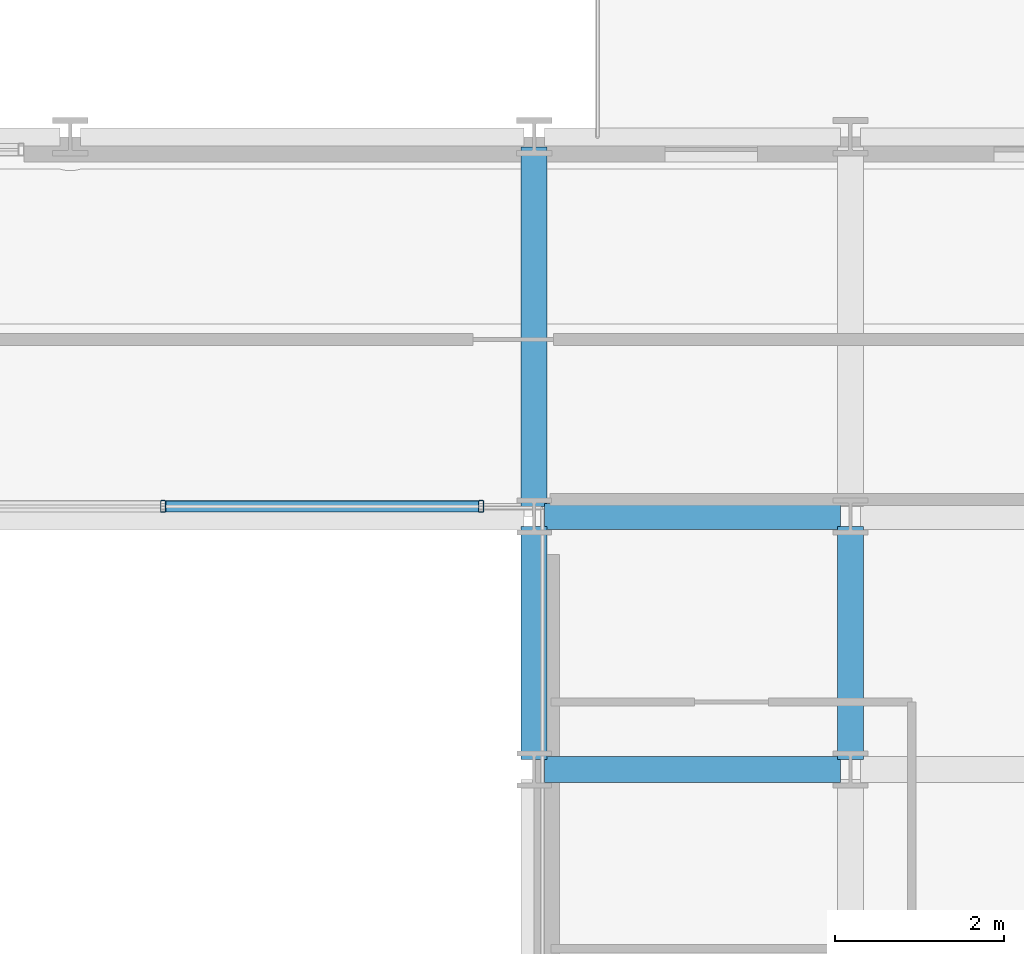
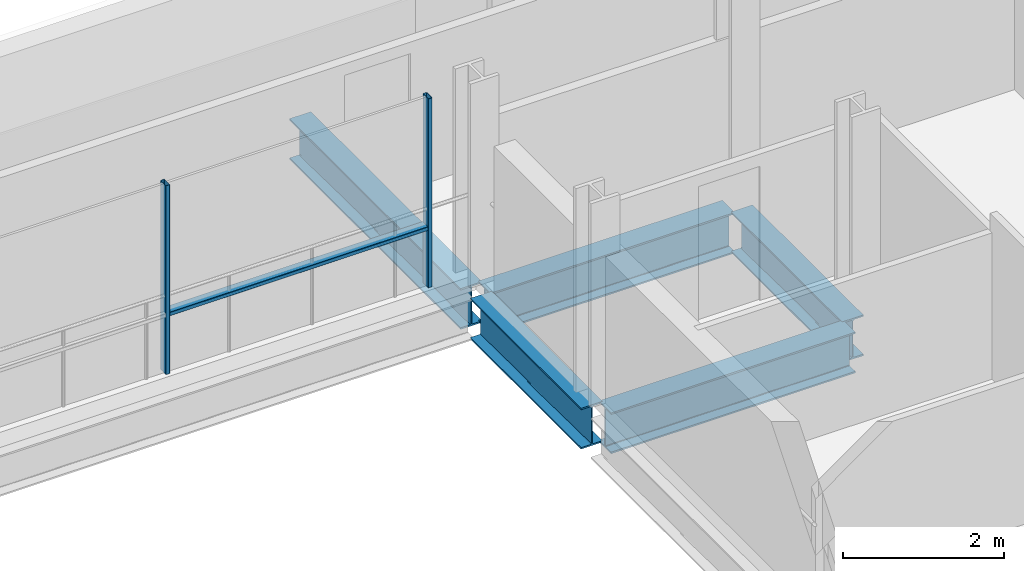
# One storey, part 17 of 41: 5 beams, 3 members, 1 element without a shape of its own.
"""IFC4 building model written with IfcOpenShell, lengths in metres."""

import ifcopenshell
import ifcopenshell.guid

model = None  # the IFC model being written
_history = None  # IfcOwnerHistory: only IFC2X3 demands one
_inside = {}  # id of a spatial element -> (the spatial element, [elements in it])
_under = {}  # id of a project, library or spatial element -> (it, [spatial elements below it])
_declared = {}  # id of a project -> (the project, [libraries it declares])
_typed = {}  # id of a type object -> (the type object, [elements of that type])
_made_of = {}  # id of a material, layer set ... -> (it, [elements and type objects made of it])


def new_model(schema):
    """Start an empty IFC model of exactly this schema.

    Asked for "IFC4X3", IfcOpenShell would pick the latest addendum, in which some entities
    have other attributes; the version numbers below select the first issue.
    IFC2X3 requires an IfcOwnerHistory on every rooted entity: one is made here for all.
    """
    global model, _history
    if schema == "IFC4X3":
        model = ifcopenshell.file(schema_version=(4, 3, 0, 0))
    else:
        model = ifcopenshell.file(schema=schema)
    _inside.clear()
    _under.clear()
    _declared.clear()
    _typed.clear()
    _made_of.clear()
    _history = None
    if model.schema == "IFC2X3":
        org = make("IfcOrganization", Name="unknown")
        user = make(
            "IfcPersonAndOrganization",
            ThePerson=make("IfcPerson", FamilyName="unknown"),
            TheOrganization=org,
        )
        app = make(
            "IfcApplication",
            ApplicationDeveloper=org,
            Version="unknown",
            ApplicationFullName="unknown",
            ApplicationIdentifier="unknown",
        )
        _history = make(
            "IfcOwnerHistory",
            OwningUser=user,
            OwningApplication=app,
            ChangeAction="ADDED",
            CreationDate=0,
        )
    return model


def make(cls, **values):
    """One entity of the class cls with the attributes given. An attribute that is None is left unset."""
    return model.create_entity(
        cls, **{name: value for name, value in values.items() if value is not None}
    )


def rooted(cls, **values):
    """An entity with a GlobalId (a new one), such as an element, a storey or a relation."""
    return make(cls, GlobalId=ifcopenshell.guid.new(), OwnerHistory=_history, **values)


def si_unit(unit_type, name, prefix=None):
    """IfcSIUnit, for example si_unit("LENGTHUNIT", "METRE", prefix="MILLI")."""
    return make("IfcSIUnit", UnitType=unit_type, Prefix=prefix, Name=name)


def assignment(units):
    """IfcUnitAssignment: the units of a project."""
    return None if units is None else make("IfcUnitAssignment", Units=units)


def point(xyz):
    """IfcCartesianPoint."""
    return None if xyz is None else make("IfcCartesianPoint", Coordinates=xyz)


def direction(xyz):
    """IfcDirection."""
    return None if xyz is None else make("IfcDirection", DirectionRatios=xyz)


def frame(location, z_axis=None, x_axis=None):
    """IfcAxis2Placement3D, a coordinate frame: its origin and axes. An axis left out is left unset."""
    return make(
        "IfcAxis2Placement3D",
        Location=point(location),
        Axis=direction(z_axis),
        RefDirection=direction(x_axis),
    )


def frame_2d(location, x_axis=None):
    """IfcAxis2Placement2D, a coordinate frame in the plane: its origin and x axis."""
    return make(
        "IfcAxis2Placement2D", Location=point(location), RefDirection=direction(x_axis)
    )


def origin():
    """The frame at (0, 0, 0) with its axes left unset."""
    return frame((0.0, 0.0, 0.0))


def origin_2d():
    """The frame at (0, 0) in the plane with its x axis left unset."""
    return frame_2d((0.0, 0.0))


def place(relative_to, where):
    """IfcLocalPlacement: puts the frame where relative to a parent placement (None: the world)."""
    return make(
        "IfcLocalPlacement", PlacementRelTo=relative_to, RelativePlacement=where
    )


def context(
    kind, dimensions, precision=None, world=None, true_north=None, identifier=None
):
    """IfcGeometricRepresentationContext, for example the 3D "Model" context."""
    return make(
        "IfcGeometricRepresentationContext",
        ContextIdentifier=identifier,
        ContextType=kind,
        CoordinateSpaceDimension=dimensions,
        Precision=precision,
        WorldCoordinateSystem=world,
        TrueNorth=true_north,
    )


def subcontext(parent, identifier, kind, view, scale=None):
    """IfcGeometricRepresentationSubContext, for example "Body" below "Model"."""
    return make(
        "IfcGeometricRepresentationSubContext",
        ContextIdentifier=identifier,
        ContextType=kind,
        ParentContext=parent,
        TargetScale=scale,
        TargetView=view,
    )


def project(units=None, contexts=None):
    """IfcProject with its units and contexts."""
    return rooted(
        "IfcProject",
        Name="project",
        RepresentationContexts=contexts,
        UnitsInContext=assignment(units),
    )


def spatial(cls, under=None, at=None, **own):
    """A site, building, storey or space (cls), placed at a placement, below another one or the project."""
    s = rooted(cls, ObjectPlacement=at, **own)
    if under is not None:
        _under.setdefault(under.id(), (under, []))[1].append(s)
    return s


def profile(cls, at=None, kind="AREA", **sizes):
    """A parametric profile (cls). Its sizes go by their IFC names, for example OverallWidth=200.0."""
    return make(cls, ProfileType=kind, Position=at, **sizes)


def hollow_rectangle(**sizes):
    """IfcRectangleHollowProfileDef."""
    return profile("IfcRectangleHollowProfileDef", **sizes)


def i_section(**sizes):
    """IfcIShapeProfileDef."""
    return profile("IfcIShapeProfileDef", **sizes)


def extrude(swept, where, along, depth):
    """IfcExtrudedAreaSolid: the profile swept, set in the frame where, extruded along a direction by depth."""
    return make(
        "IfcExtrudedAreaSolid",
        SweptArea=swept,
        Position=where,
        ExtrudedDirection=direction(along),
        Depth=depth,
    )


def shape(context_of_items, identifier, shape_type, items):
    """IfcShapeRepresentation: the items that make up one representation, for example the "Body"."""
    return make(
        "IfcShapeRepresentation",
        ContextOfItems=context_of_items,
        RepresentationIdentifier=identifier,
        RepresentationType=shape_type,
        Items=items,
    )


def material(Name=None, Category=None):
    """IfcMaterial."""
    return make("IfcMaterial", Name=Name, Category=Category)


def layer(
    of_material, thickness, ventilated=None, Name=None, Category=None, Priority=None
):
    """IfcMaterialLayer: one layer of a wall or slab, of a material (None: an air gap)."""
    return make(
        "IfcMaterialLayer",
        Material=of_material,
        LayerThickness=thickness,
        IsVentilated=ventilated,
        Name=Name,
        Category=Category,
        Priority=Priority,
    )


def layer_set(layers, Name=None):
    """IfcMaterialLayerSet."""
    return make("IfcMaterialLayerSet", MaterialLayers=layers, LayerSetName=Name)


def material_profile(
    of_material, cross_section, Name=None, Category=None, Priority=None
):
    """IfcMaterialProfile: a cross section and its material."""
    return make(
        "IfcMaterialProfile",
        Name=Name,
        Material=of_material,
        Profile=cross_section,
        Priority=Priority,
        Category=Category,
    )


def profile_set(profiles, Name=None, composite=None):
    """IfcMaterialProfileSet."""
    return make(
        "IfcMaterialProfileSet",
        Name=Name,
        MaterialProfiles=profiles,
        CompositeProfile=composite,
    )


def made_of(thing, what):
    """Note that an element or type object is made of a material, layer set ...; save() writes the relation."""
    if what is not None:
        _made_of.setdefault(what.id(), (what, []))[1].append(thing)
    return thing


def type_object(cls, material=None, **own):
    """A type object (cls), such as IfcWallType, which elements share."""
    return made_of(rooted(cls, **own), material)


def element(
    cls,
    number,
    at=None,
    inside=None,
    cuts=None,
    type_object=None,
    material=None,
    context=None,
    identifier="Body",
    shape_type=None,
    held_by="IfcProductDefinitionShape",
    body=None,
    shapes=None,
    **own,
):
    """One element of the class cls, such as IfcWall. Its Tag is "e" and its number.

    at: its placement. inside: the storey or other place that contains it. cuts: it is an
    opening in that element (IfcRelVoidsElement). A single representation is given by context,
    identifier, shape_type and body (its items); several are given by shapes. held_by: the class
    of the entity that holds the representations. save() writes the other relations.
    """
    e = rooted(cls, Tag="e%d" % number, ObjectPlacement=at, **own)
    if body is not None:
        shapes = [shape(context, identifier, shape_type, body)]
    if shapes is not None:
        e.Representation = make(held_by, Representations=shapes)
    if inside is not None:
        _inside.setdefault(inside.id(), (inside, []))[1].append(e)
    if cuts is not None:
        rooted(
            "IfcRelVoidsElement", RelatingBuildingElement=cuts, RelatedOpeningElement=e
        )
    if type_object is not None:
        _typed.setdefault(type_object.id(), (type_object, []))[1].append(e)
    return made_of(e, material)


def aggregate(whole, parts):
    """IfcRelAggregates: a whole, such as a stair, and the parts it consists of."""
    return rooted("IfcRelAggregates", RelatingObject=whole, RelatedObjects=parts)


def save(model, path):
    """Write the relations noted so far, then the file.

    IfcRelAggregates (storeys below a building ...), IfcRelContainedInSpatialStructure (elements
    in a storey), IfcRelDefinesByType, IfcRelAssociatesMaterial and IfcRelDeclares: one each for
    every whole, place, type object, material and project.
    """
    for whole, parts in _under.values():
        aggregate(whole, parts)
    for where, things in _inside.values():
        rooted(
            "IfcRelContainedInSpatialStructure",
            RelatedElements=things,
            RelatingStructure=where,
        )
    for kind, things in _typed.values():
        rooted("IfcRelDefinesByType", RelatedObjects=things, RelatingType=kind)
    for what, things in _made_of.values():
        rooted("IfcRelAssociatesMaterial", RelatedObjects=things, RelatingMaterial=what)
    for by, libraries in _declared.values():
        rooted("IfcRelDeclares", RelatingContext=by, RelatedDefinitions=libraries)
    model.write(path)


model = new_model("IFC4")

# Units and contexts
model_context = context("Model", 3, precision=1e-05, world=origin(), true_north=direction((0.0, 1.0)))
body_context = subcontext(model_context, "Body", "Model", "MODEL_VIEW")
ifc_project = project(units=[si_unit("LENGTHUNIT", "METRE"), si_unit("AREAUNIT", "SQUARE_METRE"), si_unit("VOLUMEUNIT", "CUBIC_METRE"), si_unit("PLANEANGLEUNIT", "RADIAN"), si_unit("MASSUNIT", "GRAM", prefix="KILO")], contexts=[model_context])

# Site, building, storey
site_placement = place(None, origin())
site = spatial("IfcSite", under=ifc_project, at=site_placement, CompositionType="ELEMENT")
building_placement = place(site_placement, origin())
building = spatial("IfcBuilding", under=site, at=building_placement, Name="Brevholm Reach", CompositionType="ELEMENT")
storey_placement = place(building_placement, frame((0.0, 0.0, 68.300048828125)))
storey = spatial("IfcBuildingStorey", under=building, at=storey_placement, Name="L19", CompositionType="ELEMENT", Elevation=68.300048828125)

# Beams
ifc_material_1 = material(Name="Structural Steel S355J2", Category="steel")
ifc_material_profile_1 = material_profile(ifc_material_1, i_section(OverallWidth=0.30712890625, OverallDepth=0.6201171875, WebThickness=0.01416015625, FlangeThickness=0.023681640625, FilletRadius=0.0166015625, at=origin_2d()), Name="UKB 610x305x179")
ifc_profile_set_1 = profile_set([ifc_material_profile_1], Name="Structural Steel S355J2")
beam_type = type_object("IfcBeamType", Name="BM-UKB610H", PredefinedType="USERDEFINED", material=ifc_profile_set_1)
for number, where, z_axis, x_axis, name in (
    (1, (38.3701171875, 23.5, -0.5400390625), (1.0, 0.0, 0.0), (0.0, 1.0, 0.0), "L19 G-06 Framing Beam"),
    (2, (38.3701171875, 26.5, -0.5400390625), (1.0, 0.0, 0.0), (0.0, 1.0, 0.0), "L19 G-06 Framing Beam"),
):
    element("IfcBeam", number, at=place(storey_placement, frame(where, z_axis=z_axis, x_axis=x_axis)), inside=storey, type_object=beam_type, Name=name, ObjectType="GIRDER", PredefinedType="USERDEFINED", context=body_context, shape_type="SweptSolid", body=[
        extrude(i_section(OverallWidth=0.30712890625, OverallDepth=0.6201171875, WebThickness=0.01416015625, FlangeThickness=0.023681640625, FilletRadius=0.0166015625, at=origin_2d()), origin(), (0.0, 0.0, 1.0), 3.509765625),
    ])
beam_1_placement = place(storey_placement, frame((38.25, 23.6201171875, -0.5400390625), z_axis=(0.0, 1.0, 0.0), x_axis=(-1.0, 0.0, 0.0)))
element("IfcBeam", 3, at=beam_1_placement, inside=storey, type_object=beam_type, Name="L19 G-06 Framing Beam", ObjectType="GIRDER", PredefinedType="USERDEFINED", context=body_context, shape_type="SweptSolid", body=[
    extrude(i_section(OverallWidth=0.30712890625, OverallDepth=0.6201171875, WebThickness=0.01416015625, FlangeThickness=0.023681640625, FilletRadius=0.0166015625, at=origin_2d()), origin(), (0.0, 0.0, 1.0), 2.759765625),
])
beam_2_placement = place(storey_placement, frame((38.25, 26.6201171875, -0.5400390625), z_axis=(0.0, 1.0, 0.0), x_axis=(-1.0, 0.0, 0.0)))
element("IfcBeam", 4, at=beam_2_placement, inside=storey, type_object=beam_type, Name="L19 G-06 Framing Beam", ObjectType="GIRDER", PredefinedType="USERDEFINED", context=body_context, shape_type="SweptSolid", body=[
    extrude(i_section(OverallWidth=0.30712890625, OverallDepth=0.6201171875, WebThickness=0.01416015625, FlangeThickness=0.023681640625, FilletRadius=0.0166015625, at=origin_2d()), origin(), (0.0, 0.0, 1.0), 4.259765625),
])
beam_3_placement = place(storey_placement, frame((42.0, 23.6201171875, -0.5400390625), z_axis=(0.0, 1.0, 0.0), x_axis=(-1.0, 0.0, 0.0)))
element("IfcBeam", 5, at=beam_3_placement, inside=storey, type_object=beam_type, Name="L19 G-06 Framing Beam", ObjectType="GIRDER", PredefinedType="USERDEFINED", context=body_context, shape_type="SweptSolid", body=[
    extrude(i_section(OverallWidth=0.30712890625, OverallDepth=0.6201171875, WebThickness=0.01416015625, FlangeThickness=0.023681640625, FilletRadius=0.0166015625, at=origin_2d()), origin(), (0.0, 0.0, 1.0), 2.759765625),
])

# Curtain wall, members
ifc_material_2 = material(Name="Dark Anodised Aluminium 6063-T6 and Solar-Control Glass", Category="aluminium")
ifc_layer = layer(ifc_material_2, 0.139892578125)
ifc_layer_set = layer_set([ifc_layer], Name="Dark Anodised Aluminium 6063-T6 and Solar-Control Glass")
curtain_wall_type = type_object("IfcCurtainWallType", Name="CW-02", PredefinedType="NOTDEFINED", material=ifc_layer_set)
curtain_wall_placement = place(storey_placement, origin())
curtain_wall = element("IfcCurtainWall", 6, at=curtain_wall_placement, inside=storey, type_object=curtain_wall_type, Name="L19 Curtain Wall CW-02", PredefinedType="NOTDEFINED")
ifc_material_3 = material(Name="Dark Anodised Aluminium 6063-T6", Category="aluminium")
ifc_material_profile_2 = material_profile(ifc_material_3, hollow_rectangle(XDim=0.06005859375, YDim=0.139892578125, WallThickness=0.0048828125, InnerFilletRadius=0.0048828125, OuterFilletRadius=0.010009765625, at=origin_2d()), Name="RHS 140x60x5")
ifc_profile_set_2 = profile_set([ifc_material_profile_2], Name="Dark Anodised Aluminium 6063-T6")
member_type_1 = type_object("IfcMemberType", Name="CWM-140", PredefinedType="MULLION", material=ifc_profile_set_2)
member_1_placement = place(storey_placement, frame((37.6201171875, 26.6201171875, 0.0), z_axis=(0.0, 0.0, 1.0), x_axis=(-1.0, 0.0, 0.0)))
member_1 = element("IfcMember", 7, at=member_1_placement, type_object=member_type_1, Name="CM-140 Mullion 1", PredefinedType="MULLION", context=body_context, shape_type="SweptSolid", body=[
    extrude(hollow_rectangle(XDim=0.06005859375, YDim=0.139892578125, WallThickness=0.0048828125, InnerFilletRadius=0.0048828125, OuterFilletRadius=0.010009765625, at=origin_2d()), origin(), (0.0, 0.0, 1.0), 2.869873046875),
])
member_2_placement = place(storey_placement, frame((33.85009765625, 26.6201171875, 0.0), z_axis=(0.0, 0.0, 1.0), x_axis=(-1.0, 0.0, 0.0)))
member_2 = element("IfcMember", 8, at=member_2_placement, type_object=member_type_1, Name="CM-140 Mullion 2", PredefinedType="MULLION", context=body_context, shape_type="SweptSolid", body=[
    extrude(hollow_rectangle(XDim=0.06005859375, YDim=0.139892578125, WallThickness=0.0048828125, InnerFilletRadius=0.0048828125, OuterFilletRadius=0.010009765625, at=origin_2d()), origin(), (0.0, 0.0, 1.0), 2.869873046875),
])
ifc_material_4 = material(Name="Dark Anodised Aluminium 6063-T6", Category="aluminium")
ifc_material_profile_3 = material_profile(ifc_material_4, hollow_rectangle(XDim=0.06005859375, YDim=0.139892578125, WallThickness=0.0048828125, InnerFilletRadius=0.0048828125, OuterFilletRadius=0.010009765625, at=origin_2d()), Name="RHS 140x60x5")
ifc_profile_set_3 = profile_set([ifc_material_profile_3], Name="Dark Anodised Aluminium 6063-T6")
member_type_2 = type_object("IfcMemberType", Name="CWT-140", PredefinedType="NOTDEFINED", material=ifc_profile_set_3)
member_3_placement = place(storey_placement, frame((37.590087890625, 26.6201171875, 0.89990234375), z_axis=(-1.0, 0.0, 0.0), x_axis=(0.0, 0.0, 1.0)))
member_3 = element("IfcMember", 9, at=member_3_placement, type_object=member_type_2, Name="CT-140 Transom 1.1", ObjectType="TRANSOM", PredefinedType="USERDEFINED", context=body_context, shape_type="SweptSolid", body=[
    extrude(hollow_rectangle(XDim=0.06005859375, YDim=0.139892578125, WallThickness=0.0048828125, InnerFilletRadius=0.0048828125, OuterFilletRadius=0.010009765625, at=origin_2d()), origin(), (0.0, 0.0, 1.0), 3.710205078125),
])
aggregate(curtain_wall, [member_1, member_2, member_3])

save(model, "model.ifc")
